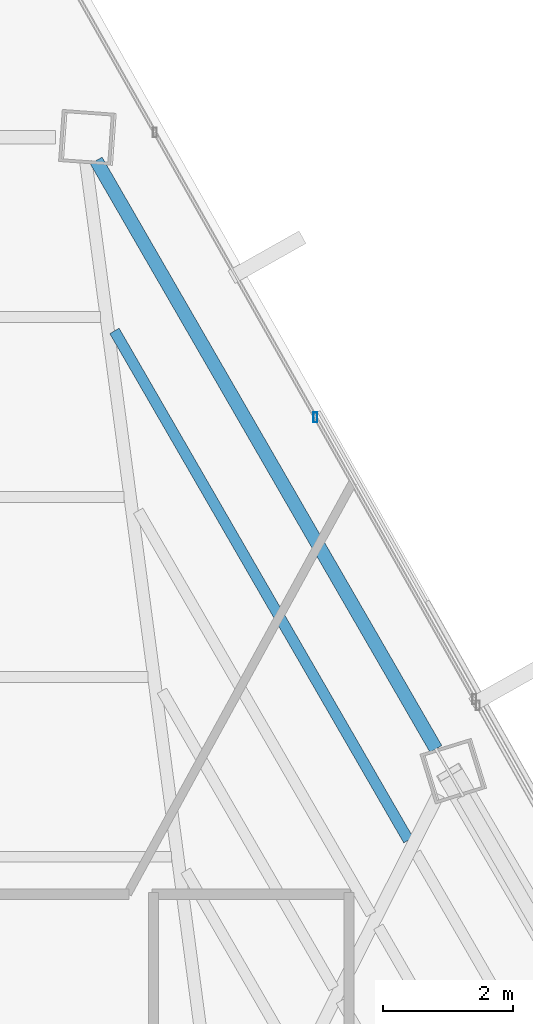
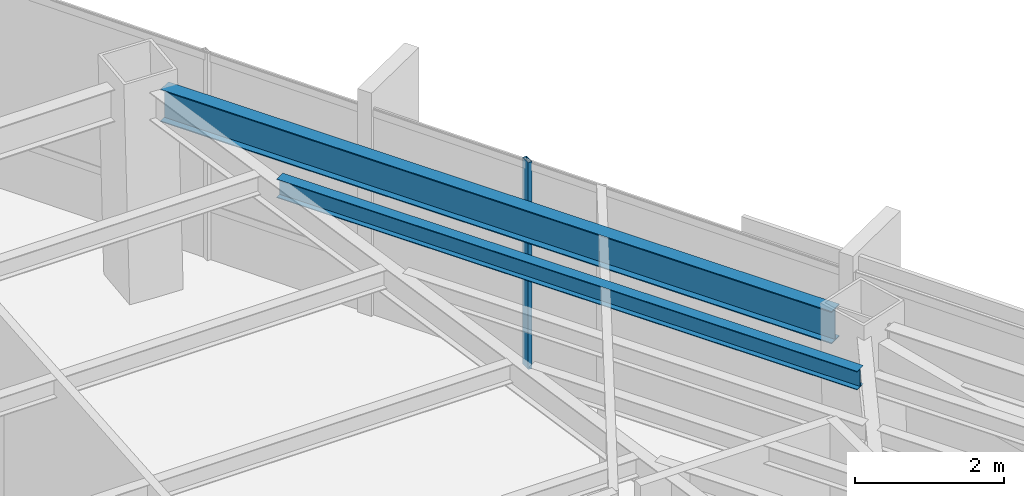
# One storey, part 30 of 42: 2 beams, 1 member, 1 element without a shape of its own.
"""IFC4 building model written with IfcOpenShell, lengths in metres."""

from ifc_helpers import new_model, si_unit, direction, frame, origin, origin_2d, place, context, subcontext, project, spatial, hollow_rectangle, i_section, extrude, source, transform, mapped, material, material_profile, profile_set, type_object, type_shapes, element, aggregate, save


model = new_model("IFC4")

# Units and contexts
model_context = context("Model", 3, precision=1e-05, world=origin(), true_north=direction((0.0, 1.0)))
body_context = subcontext(model_context, "Body", "Model", "MODEL_VIEW")
ifc_project = project(units=[si_unit("LENGTHUNIT", "METRE"), si_unit("AREAUNIT", "SQUARE_METRE"), si_unit("VOLUMEUNIT", "CUBIC_METRE"), si_unit("PLANEANGLEUNIT", "RADIAN"), si_unit("MASSUNIT", "GRAM", prefix="KILO")], contexts=[model_context])

# Site, building, storey
site_placement = place(None, origin())
site = spatial("IfcSite", under=ifc_project, at=site_placement, CompositionType="ELEMENT")
building_placement = place(site_placement, origin())
building = spatial("IfcBuilding", under=site, at=building_placement, Name="Caelisora Broadcast Tower", CompositionType="ELEMENT")
storey_placement = place(building_placement, frame((0.0, 0.0, 191.35009765625)))
storey = spatial("IfcBuildingStorey", under=building, at=storey_placement, Name="L50", CompositionType="ELEMENT", Elevation=191.35009765625)

# Beams
ifc_material_1 = material(Name="Steel Grade 350 (AS/NZS 3679.1)", Category="steel")
ifc_material_profile_1 = material_profile(ifc_material_1, i_section(OverallWidth=0.208984375, OverallDepth=0.532958984375, WebThickness=0.01025390625, FlangeThickness=0.015625, at=origin_2d()), Name="Steel Grade 350 (AS/NZS 3679.1)")
ifc_profile_set_1 = profile_set([ifc_material_profile_1], Name="Steel Grade 350 (AS/NZS 3679.1)")
beam_type_1 = type_object("IfcBeamType", Name="PG05", PredefinedType="BEAM", material=ifc_profile_set_1)
shared_shape_1 = source(origin(), body_context, "Body", "SweptSolid", [
    extrude(i_section(OverallWidth=0.208984375, OverallDepth=0.532958984375, WebThickness=0.01025390625, FlangeThickness=0.015625, at=origin_2d()), origin(), (0.0, 0.0, 1.0), 10.42578125),
])
type_shapes(beam_type_1, [shared_shape_1])
beam_1_placement = place(storey_placement, frame((48.733642578125, 37.17724609375, 3.13330078125), z_axis=(-0.499997453315, 0.866026874108, 0.0), x_axis=(-0.866026874108, -0.499997453315, 0.0)))
element("IfcBeam", 1, at=beam_1_placement, inside=storey, type_object=beam_type_1, Name="L50 beam PG05", PredefinedType="BEAM", context=body_context, shape_type="MappedRepresentation", body=[
    mapped(shared_shape_1, transform((0.0, 0.0, 0.0), scale=1.0)),
])
ifc_material_profile_2 = material_profile(ifc_material_1, i_section(OverallWidth=0.166015625, OverallDepth=0.30712890625, WebThickness=0.006591796875, FlangeThickness=0.01171875, at=origin_2d()), Name="Steel Grade 350 (AS/NZS 3679.1)")
ifc_profile_set_2 = profile_set([ifc_material_profile_2], Name="Steel Grade 350 (AS/NZS 3679.1)")
beam_type_2 = type_object("IfcBeamType", Name="SB03", PredefinedType="JOIST", material=ifc_profile_set_2)
shared_shape_2 = source(origin(), body_context, "Body", "SweptSolid", [
    extrude(i_section(OverallWidth=0.166015625, OverallDepth=0.30712890625, WebThickness=0.006591796875, FlangeThickness=0.01171875, at=origin_2d()), origin(), (0.0, 0.0, 1.0), 9.023681640625),
])
type_shapes(beam_type_2, [shared_shape_2])
beam_2_placement = place(storey_placement, frame((48.3125, 35.777099609375, 3.246337890625), z_axis=(-0.499991786507, 0.866030145795, 0.0), x_axis=(-0.866030145795, -0.499991786507, 0.0)))
element("IfcBeam", 2, at=beam_2_placement, inside=storey, type_object=beam_type_2, Name="L50 beam SB03", PredefinedType="JOIST", context=body_context, shape_type="MappedRepresentation", body=[
    mapped(shared_shape_2, transform((0.0, 0.0, 0.0), scale=1.0)),
])

# Curtain wall, member
ifc_material_2 = material(Name="Unitised Aluminium and Low-E Glass Curtain Wall", Category="glass")
curtain_wall_type = type_object("IfcCurtainWallType", Name="CW-Z4", PredefinedType="NOTDEFINED", material=ifc_material_2)
curtain_wall_placement = place(storey_placement, origin())
curtain_wall = element("IfcCurtainWall", 3, at=curtain_wall_placement, inside=storey, type_object=curtain_wall_type, Name="L50 curtain wall CW-Z4", PredefinedType="NOTDEFINED")
ifc_material_3 = material(Name="Aluminium 6063-T6 Anodised Terracotta Bronze", Category="aluminium")
ifc_material_profile_3 = material_profile(ifc_material_3, hollow_rectangle(XDim=0.06005859375, YDim=0.14990234375, WallThickness=0.00341796875, at=origin_2d()), Name="Aluminium 6063-T6 Anodised Terracotta Bronze")
ifc_profile_set_3 = profile_set([ifc_material_profile_3], Name="Aluminium 6063-T6 Anodised Terracotta Bronze")
member_type = type_object("IfcMemberType", Name="CWM-03", PredefinedType="MULLION", material=ifc_profile_set_3)
shared_shape_3 = source(origin(), body_context, "Body", "SweptSolid", [
    extrude(hollow_rectangle(XDim=0.06005859375, YDim=0.14990234375, WallThickness=0.00341796875, at=origin_2d()), origin(), (0.0, 0.0, 1.0), 3.39990234375),
])
type_shapes(member_type, [shared_shape_3])
member_placement = place(storey_placement, frame((46.885009765625, 42.265380859375, 0.0), z_axis=(0.0, 0.0, 1.0), x_axis=(1.0, 0.0, 0.0)))
member = element("IfcMember", 4, at=member_placement, type_object=member_type, Name="L50-CW-B01 mullion #2", PredefinedType="MULLION", context=body_context, shape_type="MappedRepresentation", body=[
    mapped(shared_shape_3, transform((0.0, 0.0, 0.0), scale=1.0)),
])
aggregate(curtain_wall, [member])

save(model, "model.ifc")
